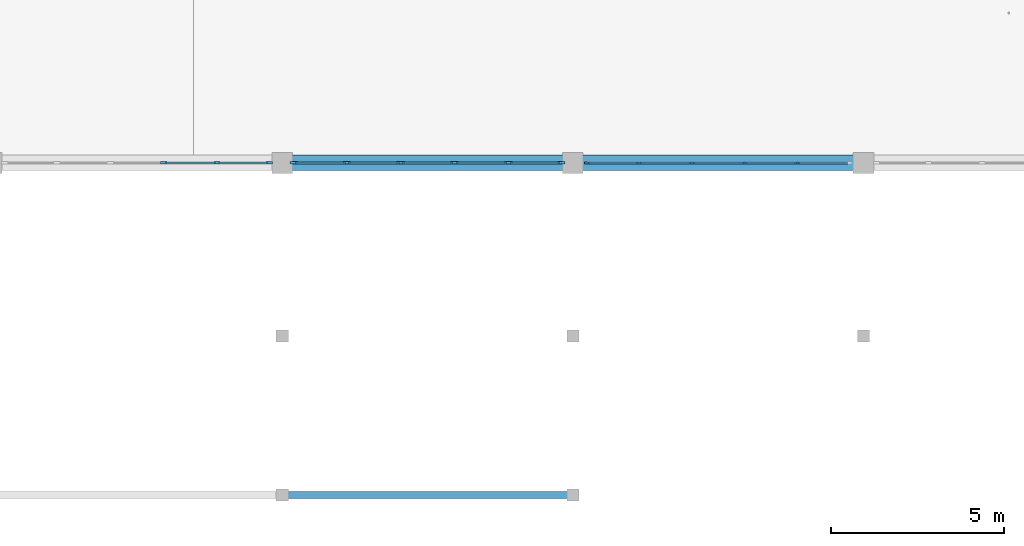
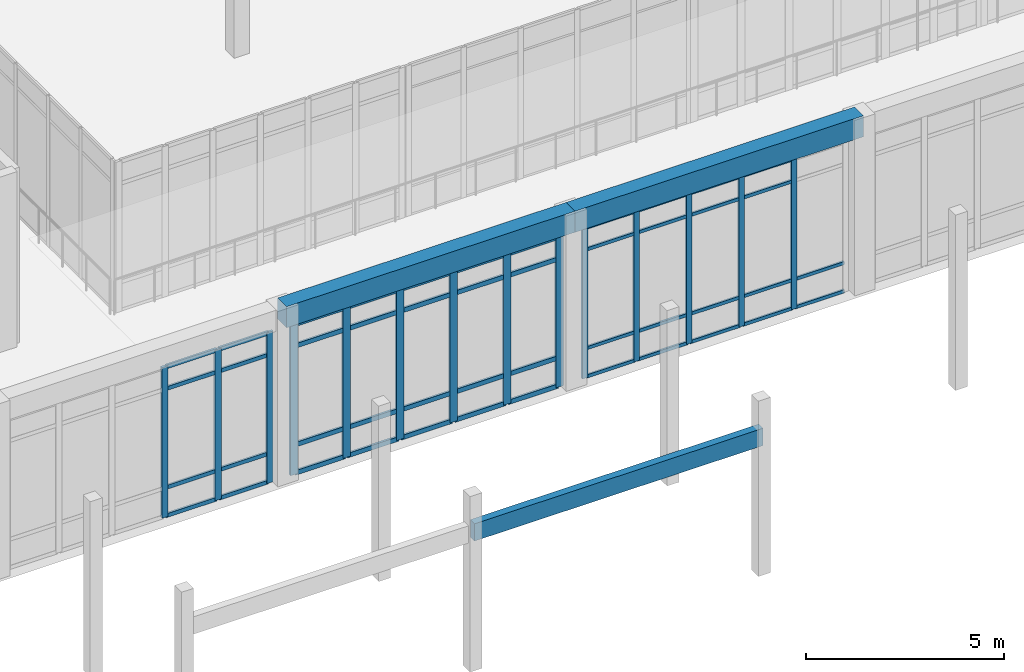
# One storey, part 15 of 157: 60 members, 3 beams, 3 elements without a shape of their own.
"""IFC4 building model written with IfcOpenShell, lengths in metres."""

from ifc_helpers import new_model, si_unit, direction, frame, origin, origin_2d, place, context, subcontext, project, spatial, rectangle, extrude, material, material_profile, profile_set, type_object, element, aggregate, save


model = new_model("IFC4")

# Units and contexts
model_context = context("Model", 3, precision=1e-05, world=origin(), true_north=direction((0.0, 1.0)))
body_context = subcontext(model_context, "Body", "Model", "MODEL_VIEW")
ifc_project = project(units=[si_unit("LENGTHUNIT", "METRE"), si_unit("AREAUNIT", "SQUARE_METRE"), si_unit("VOLUMEUNIT", "CUBIC_METRE"), si_unit("PLANEANGLEUNIT", "RADIAN"), si_unit("MASSUNIT", "GRAM", prefix="KILO")], contexts=[model_context])

# Site, building, storey
site_placement = place(None, origin())
site = spatial("IfcSite", under=ifc_project, at=site_placement, CompositionType="ELEMENT")
building_placement = place(site_placement, origin())
building = spatial("IfcBuilding", under=site, at=building_placement, Name="Varncliffe General Hospital", CompositionType="ELEMENT")
storey_placement = place(building_placement, frame((0.0, 0.0, 5.39990234375)))
storey = spatial("IfcBuildingStorey", under=building, at=storey_placement, Name="L01", CompositionType="ELEMENT", Elevation=5.39990234375)

# Curtain wall, members
ifc_material_1 = material(Name="Triple low-E argon insulated vision glazing", Category="glass")
curtain_wall_type_1 = type_object("IfcCurtainWallType", Name="Unitised Glazed Curtain Wall CW70 (7724x4640)", PredefinedType="USERDEFINED", material=ifc_material_1)
curtain_wall_1_placement = place(storey_placement, origin())
curtain_wall_1 = element("IfcCurtainWall", 1, at=curtain_wall_1_placement, inside=storey, type_object=curtain_wall_type_1, Name="L01 Glazed Curtain Wall CW70-52", ObjectType="GLAZED CURTAIN WALL", PredefinedType="USERDEFINED")
ifc_material_2 = material(Name="Dark bronze thermally broken aluminium framing", Category="aluminium")
ifc_material_profile_1 = material_profile(ifc_material_2, rectangle(XDim=0.074951171875, YDim=0.179931640625, at=origin_2d()), Name="ALU 75x180")
ifc_profile_set_1 = profile_set([ifc_material_profile_1], Name="Dark bronze thermally broken aluminium framing")
member_type_1 = type_object("IfcMemberType", Name="Curtain Wall Mullion CM44 (ALU 75x180)", PredefinedType="MULLION", material=ifc_profile_set_1)
member_1_placement = place(storey_placement, frame((66.824462890625, 7.199951171875, 0.0), z_axis=(0.0, 0.0, 1.0), x_axis=(0.0, -1.0, 0.0)))
member_1 = element("IfcMember", 2, at=member_1_placement, type_object=member_type_1, Name="CW70 mullion 1", PredefinedType="MULLION", context=body_context, shape_type="SweptSolid", body=[
    extrude(rectangle(XDim=0.074951171875, YDim=0.179931640625, at=origin_2d()), origin(), (0.0, 0.0, 1.0), 4.64013671875),
])
member_2_placement = place(storey_placement, frame((65.317138671875, 7.199951171875, 0.0), z_axis=(0.0, 0.0, 1.0), x_axis=(0.0, -1.0, 0.0)))
member_2 = element("IfcMember", 3, at=member_2_placement, type_object=member_type_1, Name="CW70 mullion 2", PredefinedType="MULLION", context=body_context, shape_type="SweptSolid", body=[
    extrude(rectangle(XDim=0.074951171875, YDim=0.179931640625, at=origin_2d()), origin(), (0.0, 0.0, 1.0), 4.64013671875),
])
member_3_placement = place(storey_placement, frame((63.7724609375, 7.199951171875, 0.0), z_axis=(0.0, 0.0, 1.0), x_axis=(0.0, -1.0, 0.0)))
member_3 = element("IfcMember", 4, at=member_3_placement, type_object=member_type_1, Name="CW70 mullion 3", PredefinedType="MULLION", context=body_context, shape_type="SweptSolid", body=[
    extrude(rectangle(XDim=0.074951171875, YDim=0.179931640625, at=origin_2d()), origin(), (0.0, 0.0, 1.0), 4.64013671875),
])

curtain_wall_type_2 = type_object("IfcCurtainWallType", Name="Unitised Glazed Curtain Wall CW27 (7644x4640)", PredefinedType="USERDEFINED", material=ifc_material_1)
curtain_wall_2_placement = place(storey_placement, origin())
curtain_wall_2 = element("IfcCurtainWall", 5, at=curtain_wall_2_placement, inside=storey, type_object=curtain_wall_type_2, Name="L01 Glazed Curtain Wall CW27-50", ObjectType="GLAZED CURTAIN WALL", PredefinedType="USERDEFINED")
ifc_material_profile_2 = material_profile(ifc_material_2, rectangle(XDim=0.06494140625, YDim=0.159912109375, at=origin_2d()), Name="ALU 65x160")
ifc_profile_set_2 = profile_set([ifc_material_profile_2], Name="Dark bronze thermally broken aluminium framing")
member_type_2 = type_object("IfcMemberType", Name="Curtain Wall Mullion CM65 (ALU 65x160)", PredefinedType="MULLION", material=ifc_profile_set_2)
member_4_placement = place(storey_placement, frame((82.09326171875, 7.199951171875, 0.0), z_axis=(0.0, 0.0, 1.0), x_axis=(0.0, -1.0, 0.0)))
member_4 = element("IfcMember", 6, at=member_4_placement, type_object=member_type_2, Name="CW27 mullion 2", PredefinedType="MULLION", context=body_context, shape_type="SweptSolid", body=[
    extrude(rectangle(XDim=0.06494140625, YDim=0.159912109375, at=origin_2d()), origin(), (0.0, 0.0, 1.0), 4.64013671875),
])
member_5_placement = place(storey_placement, frame((80.564453125, 7.199951171875, 0.0), z_axis=(0.0, 0.0, 1.0), x_axis=(0.0, -1.0, 0.0)))
member_5 = element("IfcMember", 7, at=member_5_placement, type_object=member_type_2, Name="CW27 mullion 3", PredefinedType="MULLION", context=body_context, shape_type="SweptSolid", body=[
    extrude(rectangle(XDim=0.06494140625, YDim=0.159912109375, at=origin_2d()), origin(), (0.0, 0.0, 1.0), 4.64013671875),
])
member_6_placement = place(storey_placement, frame((79.03564453125, 7.199951171875, 0.0), z_axis=(0.0, 0.0, 1.0), x_axis=(0.0, -1.0, 0.0)))
member_6 = element("IfcMember", 8, at=member_6_placement, type_object=member_type_2, Name="CW27 mullion 4", PredefinedType="MULLION", context=body_context, shape_type="SweptSolid", body=[
    extrude(rectangle(XDim=0.06494140625, YDim=0.159912109375, at=origin_2d()), origin(), (0.0, 0.0, 1.0), 4.64013671875),
])
member_7_placement = place(storey_placement, frame((77.5068359375, 7.199951171875, 0.0), z_axis=(0.0, 0.0, 1.0), x_axis=(0.0, -1.0, 0.0)))
member_7 = element("IfcMember", 9, at=member_7_placement, type_object=member_type_2, Name="CW27 mullion 5", PredefinedType="MULLION", context=body_context, shape_type="SweptSolid", body=[
    extrude(rectangle(XDim=0.06494140625, YDim=0.159912109375, at=origin_2d()), origin(), (0.0, 0.0, 1.0), 4.64013671875),
])
member_8_placement = place(storey_placement, frame((76.010498046875, 7.199951171875, 0.0), z_axis=(0.0, 0.0, 1.0), x_axis=(0.0, -1.0, 0.0)))
member_8 = element("IfcMember", 10, at=member_8_placement, type_object=member_type_2, Name="CW27 mullion 6", PredefinedType="MULLION", context=body_context, shape_type="SweptSolid", body=[
    extrude(rectangle(XDim=0.06494140625, YDim=0.159912109375, at=origin_2d()), origin(), (0.0, 0.0, 1.0), 4.64013671875),
])

curtain_wall_type_3 = type_object("IfcCurtainWallType", Name="Unitised Glazed Curtain Wall CW85 (7804x4640)", PredefinedType="USERDEFINED", material=ifc_material_1)
curtain_wall_3_placement = place(storey_placement, origin())
curtain_wall_3 = element("IfcCurtainWall", 11, at=curtain_wall_3_placement, inside=storey, type_object=curtain_wall_type_3, Name="L01 Glazed Curtain Wall CW85-51", ObjectType="GLAZED CURTAIN WALL", PredefinedType="USERDEFINED")
ifc_material_profile_3 = material_profile(ifc_material_2, rectangle(XDim=0.074951171875, YDim=0.219970703125, at=origin_2d()), Name="ALU 75x220")
ifc_profile_set_3 = profile_set([ifc_material_profile_3], Name="Dark bronze thermally broken aluminium framing")
member_type_3 = type_object("IfcMemberType", Name="Curtain Wall Mullion CM74 (ALU 75x220)", PredefinedType="MULLION", material=ifc_profile_set_3)
member_9_placement = place(storey_placement, frame((75.264404296875, 7.199951171875, 0.0), z_axis=(0.0, 0.0, 1.0), x_axis=(0.0, -1.0, 0.0)))
member_9 = element("IfcMember", 12, at=member_9_placement, type_object=member_type_3, Name="CW85 mullion 1", PredefinedType="MULLION", context=body_context, shape_type="SweptSolid", body=[
    extrude(rectangle(XDim=0.074951171875, YDim=0.219970703125, at=origin_2d()), origin(), (0.0, 0.0, 1.0), 4.64013671875),
])
member_10_placement = place(storey_placement, frame((73.7412109375, 7.199951171875, 0.0), z_axis=(0.0, 0.0, 1.0), x_axis=(0.0, -1.0, 0.0)))
member_10 = element("IfcMember", 13, at=member_10_placement, type_object=member_type_3, Name="CW85 mullion 2", PredefinedType="MULLION", context=body_context, shape_type="SweptSolid", body=[
    extrude(rectangle(XDim=0.074951171875, YDim=0.219970703125, at=origin_2d()), origin(), (0.0, 0.0, 1.0), 4.64013671875),
])
member_11_placement = place(storey_placement, frame((72.180419921875, 7.199951171875, 0.0), z_axis=(0.0, 0.0, 1.0), x_axis=(0.0, -1.0, 0.0)))
member_11 = element("IfcMember", 14, at=member_11_placement, type_object=member_type_3, Name="CW85 mullion 3", PredefinedType="MULLION", context=body_context, shape_type="SweptSolid", body=[
    extrude(rectangle(XDim=0.074951171875, YDim=0.219970703125, at=origin_2d()), origin(), (0.0, 0.0, 1.0), 4.64013671875),
])
member_12_placement = place(storey_placement, frame((70.61962890625, 7.199951171875, 0.0), z_axis=(0.0, 0.0, 1.0), x_axis=(0.0, -1.0, 0.0)))
member_12 = element("IfcMember", 15, at=member_12_placement, type_object=member_type_3, Name="CW85 mullion 4", PredefinedType="MULLION", context=body_context, shape_type="SweptSolid", body=[
    extrude(rectangle(XDim=0.074951171875, YDim=0.219970703125, at=origin_2d()), origin(), (0.0, 0.0, 1.0), 4.64013671875),
])
member_13_placement = place(storey_placement, frame((69.058837890625, 7.199951171875, 0.0), z_axis=(0.0, 0.0, 1.0), x_axis=(0.0, -1.0, 0.0)))
member_13 = element("IfcMember", 16, at=member_13_placement, type_object=member_type_3, Name="CW85 mullion 5", PredefinedType="MULLION", context=body_context, shape_type="SweptSolid", body=[
    extrude(rectangle(XDim=0.074951171875, YDim=0.219970703125, at=origin_2d()), origin(), (0.0, 0.0, 1.0), 4.64013671875),
])
member_14_placement = place(storey_placement, frame((67.535400390625, 7.199951171875, 0.0), z_axis=(0.0, 0.0, 1.0), x_axis=(0.0, -1.0, 0.0)))
member_14 = element("IfcMember", 17, at=member_14_placement, type_object=member_type_3, Name="CW85 mullion 6", PredefinedType="MULLION", context=body_context, shape_type="SweptSolid", body=[
    extrude(rectangle(XDim=0.074951171875, YDim=0.219970703125, at=origin_2d()), origin(), (0.0, 0.0, 1.0), 4.64013671875),
])

# Member
ifc_material_profile_4 = material_profile(ifc_material_2, rectangle(XDim=0.06005859375, YDim=0.1201171875, at=origin_2d()), Name="ALU 60x120")
ifc_profile_set_4 = profile_set([ifc_material_profile_4], Name="Dark bronze thermally broken aluminium framing")
member_type_4 = type_object("IfcMemberType", Name="Curtain Wall Transom CT14 (ALU 60x120)", PredefinedType="USERDEFINED", material=ifc_profile_set_4)
member_15_placement = place(storey_placement, frame((66.787109375, 7.199951171875, 0.030029296875), z_axis=(-1.0, 0.0, 0.0), x_axis=(0.0, -1.0, 0.0)))
member_15 = element("IfcMember", 18, at=member_15_placement, type_object=member_type_4, Name="CW70 transom 1.1", ObjectType="TRANSOM", PredefinedType="USERDEFINED", context=body_context, shape_type="SweptSolid", body=[
    extrude(rectangle(XDim=0.06005859375, YDim=0.1201171875, at=origin_2d()), origin(), (0.0, 0.0, 1.0), 1.432373046875),
])

member_16_placement = place(storey_placement, frame((66.787109375, 7.199951171875, 0.900146484375), z_axis=(-1.0, 0.0, 0.0), x_axis=(0.0, -1.0, 0.0)))
member_16 = element("IfcMember", 19, at=member_16_placement, type_object=member_type_4, Name="CW70 transom 1.2", ObjectType="TRANSOM", PredefinedType="USERDEFINED", context=body_context, shape_type="SweptSolid", body=[
    extrude(rectangle(XDim=0.06005859375, YDim=0.1201171875, at=origin_2d()), origin(), (0.0, 0.0, 1.0), 1.432373046875),
])

member_17_placement = place(storey_placement, frame((66.787109375, 7.199951171875, 3.940185546875), z_axis=(-1.0, 0.0, 0.0), x_axis=(0.0, -1.0, 0.0)))
member_17 = element("IfcMember", 20, at=member_17_placement, type_object=member_type_4, Name="CW70 transom 1.3", ObjectType="TRANSOM", PredefinedType="USERDEFINED", context=body_context, shape_type="SweptSolid", body=[
    extrude(rectangle(XDim=0.06005859375, YDim=0.1201171875, at=origin_2d()), origin(), (0.0, 0.0, 1.0), 1.432373046875),
])

member_18_placement = place(storey_placement, frame((66.787109375, 7.199951171875, 4.610107421875), z_axis=(-1.0, 0.0, 0.0), x_axis=(0.0, -1.0, 0.0)))
member_18 = element("IfcMember", 21, at=member_18_placement, type_object=member_type_4, Name="CW70 transom 1.4", ObjectType="TRANSOM", PredefinedType="USERDEFINED", context=body_context, shape_type="SweptSolid", body=[
    extrude(rectangle(XDim=0.06005859375, YDim=0.1201171875, at=origin_2d()), origin(), (0.0, 0.0, 1.0), 1.432373046875),
])

member_19_placement = place(storey_placement, frame((65.27978515625, 7.199951171875, 0.030029296875), z_axis=(-1.0, 0.0, 0.0), x_axis=(0.0, -1.0, 0.0)))
member_19 = element("IfcMember", 22, at=member_19_placement, type_object=member_type_4, Name="CW70 transom 2.1", ObjectType="TRANSOM", PredefinedType="USERDEFINED", context=body_context, shape_type="SweptSolid", body=[
    extrude(rectangle(XDim=0.06005859375, YDim=0.1201171875, at=origin_2d()), origin(), (0.0, 0.0, 1.0), 1.469970703125),
])

member_20_placement = place(storey_placement, frame((65.27978515625, 7.199951171875, 0.900146484375), z_axis=(-1.0, 0.0, 0.0), x_axis=(0.0, -1.0, 0.0)))
member_20 = element("IfcMember", 23, at=member_20_placement, type_object=member_type_4, Name="CW70 transom 2.2", ObjectType="TRANSOM", PredefinedType="USERDEFINED", context=body_context, shape_type="SweptSolid", body=[
    extrude(rectangle(XDim=0.06005859375, YDim=0.1201171875, at=origin_2d()), origin(), (0.0, 0.0, 1.0), 1.469970703125),
])

member_21_placement = place(storey_placement, frame((65.27978515625, 7.199951171875, 3.940185546875), z_axis=(-1.0, 0.0, 0.0), x_axis=(0.0, -1.0, 0.0)))
member_21 = element("IfcMember", 24, at=member_21_placement, type_object=member_type_4, Name="CW70 transom 2.3", ObjectType="TRANSOM", PredefinedType="USERDEFINED", context=body_context, shape_type="SweptSolid", body=[
    extrude(rectangle(XDim=0.06005859375, YDim=0.1201171875, at=origin_2d()), origin(), (0.0, 0.0, 1.0), 1.469970703125),
])

member_22_placement = place(storey_placement, frame((65.27978515625, 7.199951171875, 4.610107421875), z_axis=(-1.0, 0.0, 0.0), x_axis=(0.0, -1.0, 0.0)))
member_22 = element("IfcMember", 25, at=member_22_placement, type_object=member_type_4, Name="CW70 transom 2.4", ObjectType="TRANSOM", PredefinedType="USERDEFINED", context=body_context, shape_type="SweptSolid", body=[
    extrude(rectangle(XDim=0.06005859375, YDim=0.1201171875, at=origin_2d()), origin(), (0.0, 0.0, 1.0), 1.469970703125),
])

aggregate(curtain_wall_1, [member_1, member_2, member_3, member_15, member_16, member_17, member_18, member_19, member_20, member_21, member_22])

ifc_material_profile_5 = material_profile(ifc_material_2, rectangle(XDim=0.06005859375, YDim=0.10009765625, at=origin_2d()), Name="ALU 60x100")
ifc_profile_set_5 = profile_set([ifc_material_profile_5], Name="Dark bronze thermally broken aluminium framing")
member_type_5 = type_object("IfcMemberType", Name="Curtain Wall Transom CT18 (ALU 60x100)", PredefinedType="USERDEFINED", material=ifc_profile_set_5)
member_23_placement = place(storey_placement, frame((83.556884765625, 7.199951171875, 0.030029296875), z_axis=(-1.0, 0.0, 0.0), x_axis=(0.0, -1.0, 0.0)))
member_23 = element("IfcMember", 26, at=member_23_placement, type_object=member_type_5, Name="CW27 transom 1.1", ObjectType="TRANSOM", PredefinedType="USERDEFINED", context=body_context, shape_type="SweptSolid", body=[
    extrude(rectangle(XDim=0.06005859375, YDim=0.10009765625, at=origin_2d()), origin(), (0.0, 0.0, 1.0), 1.43115234375),
])

member_24_placement = place(storey_placement, frame((83.556884765625, 7.199951171875, 0.900146484375), z_axis=(-1.0, 0.0, 0.0), x_axis=(0.0, -1.0, 0.0)))
member_24 = element("IfcMember", 27, at=member_24_placement, type_object=member_type_5, Name="CW27 transom 1.2", ObjectType="TRANSOM", PredefinedType="USERDEFINED", context=body_context, shape_type="SweptSolid", body=[
    extrude(rectangle(XDim=0.06005859375, YDim=0.10009765625, at=origin_2d()), origin(), (0.0, 0.0, 1.0), 1.43115234375),
])

member_25_placement = place(storey_placement, frame((82.060791015625, 7.199951171875, 0.030029296875), z_axis=(-1.0, 0.0, 0.0), x_axis=(0.0, -1.0, 0.0)))
member_25 = element("IfcMember", 28, at=member_25_placement, type_object=member_type_5, Name="CW27 transom 2.1", ObjectType="TRANSOM", PredefinedType="USERDEFINED", context=body_context, shape_type="SweptSolid", body=[
    extrude(rectangle(XDim=0.06005859375, YDim=0.10009765625, at=origin_2d()), origin(), (0.0, 0.0, 1.0), 1.4638671875),
])

member_26_placement = place(storey_placement, frame((82.060791015625, 7.199951171875, 0.900146484375), z_axis=(-1.0, 0.0, 0.0), x_axis=(0.0, -1.0, 0.0)))
member_26 = element("IfcMember", 29, at=member_26_placement, type_object=member_type_5, Name="CW27 transom 2.2", ObjectType="TRANSOM", PredefinedType="USERDEFINED", context=body_context, shape_type="SweptSolid", body=[
    extrude(rectangle(XDim=0.06005859375, YDim=0.10009765625, at=origin_2d()), origin(), (0.0, 0.0, 1.0), 1.4638671875),
])

member_27_placement = place(storey_placement, frame((82.060791015625, 7.199951171875, 3.940185546875), z_axis=(-1.0, 0.0, 0.0), x_axis=(0.0, -1.0, 0.0)))
member_27 = element("IfcMember", 30, at=member_27_placement, type_object=member_type_5, Name="CW27 transom 2.3", ObjectType="TRANSOM", PredefinedType="USERDEFINED", context=body_context, shape_type="SweptSolid", body=[
    extrude(rectangle(XDim=0.06005859375, YDim=0.10009765625, at=origin_2d()), origin(), (0.0, 0.0, 1.0), 1.4638671875),
])

member_28_placement = place(storey_placement, frame((82.060791015625, 7.199951171875, 4.610107421875), z_axis=(-1.0, 0.0, 0.0), x_axis=(0.0, -1.0, 0.0)))
member_28 = element("IfcMember", 31, at=member_28_placement, type_object=member_type_5, Name="CW27 transom 2.4", ObjectType="TRANSOM", PredefinedType="USERDEFINED", context=body_context, shape_type="SweptSolid", body=[
    extrude(rectangle(XDim=0.06005859375, YDim=0.10009765625, at=origin_2d()), origin(), (0.0, 0.0, 1.0), 1.4638671875),
])

member_29_placement = place(storey_placement, frame((80.531982421875, 7.199951171875, 0.030029296875), z_axis=(-1.0, 0.0, 0.0), x_axis=(0.0, -1.0, 0.0)))
member_29 = element("IfcMember", 32, at=member_29_placement, type_object=member_type_5, Name="CW27 transom 3.1", ObjectType="TRANSOM", PredefinedType="USERDEFINED", context=body_context, shape_type="SweptSolid", body=[
    extrude(rectangle(XDim=0.06005859375, YDim=0.10009765625, at=origin_2d()), origin(), (0.0, 0.0, 1.0), 1.4638671875),
])

member_30_placement = place(storey_placement, frame((80.531982421875, 7.199951171875, 0.900146484375), z_axis=(-1.0, 0.0, 0.0), x_axis=(0.0, -1.0, 0.0)))
member_30 = element("IfcMember", 33, at=member_30_placement, type_object=member_type_5, Name="CW27 transom 3.2", ObjectType="TRANSOM", PredefinedType="USERDEFINED", context=body_context, shape_type="SweptSolid", body=[
    extrude(rectangle(XDim=0.06005859375, YDim=0.10009765625, at=origin_2d()), origin(), (0.0, 0.0, 1.0), 1.4638671875),
])

member_31_placement = place(storey_placement, frame((80.531982421875, 7.199951171875, 3.940185546875), z_axis=(-1.0, 0.0, 0.0), x_axis=(0.0, -1.0, 0.0)))
member_31 = element("IfcMember", 34, at=member_31_placement, type_object=member_type_5, Name="CW27 transom 3.3", ObjectType="TRANSOM", PredefinedType="USERDEFINED", context=body_context, shape_type="SweptSolid", body=[
    extrude(rectangle(XDim=0.06005859375, YDim=0.10009765625, at=origin_2d()), origin(), (0.0, 0.0, 1.0), 1.4638671875),
])

member_32_placement = place(storey_placement, frame((80.531982421875, 7.199951171875, 4.610107421875), z_axis=(-1.0, 0.0, 0.0), x_axis=(0.0, -1.0, 0.0)))
member_32 = element("IfcMember", 35, at=member_32_placement, type_object=member_type_5, Name="CW27 transom 3.4", ObjectType="TRANSOM", PredefinedType="USERDEFINED", context=body_context, shape_type="SweptSolid", body=[
    extrude(rectangle(XDim=0.06005859375, YDim=0.10009765625, at=origin_2d()), origin(), (0.0, 0.0, 1.0), 1.4638671875),
])

member_33_placement = place(storey_placement, frame((79.003173828125, 7.199951171875, 0.030029296875), z_axis=(-1.0, 0.0, 0.0), x_axis=(0.0, -1.0, 0.0)))
member_33 = element("IfcMember", 36, at=member_33_placement, type_object=member_type_5, Name="CW27 transom 4.1", ObjectType="TRANSOM", PredefinedType="USERDEFINED", context=body_context, shape_type="SweptSolid", body=[
    extrude(rectangle(XDim=0.06005859375, YDim=0.10009765625, at=origin_2d()), origin(), (0.0, 0.0, 1.0), 1.4638671875),
])

member_34_placement = place(storey_placement, frame((79.003173828125, 7.199951171875, 0.900146484375), z_axis=(-1.0, 0.0, 0.0), x_axis=(0.0, -1.0, 0.0)))
member_34 = element("IfcMember", 37, at=member_34_placement, type_object=member_type_5, Name="CW27 transom 4.2", ObjectType="TRANSOM", PredefinedType="USERDEFINED", context=body_context, shape_type="SweptSolid", body=[
    extrude(rectangle(XDim=0.06005859375, YDim=0.10009765625, at=origin_2d()), origin(), (0.0, 0.0, 1.0), 1.4638671875),
])

member_35_placement = place(storey_placement, frame((79.003173828125, 7.199951171875, 3.940185546875), z_axis=(-1.0, 0.0, 0.0), x_axis=(0.0, -1.0, 0.0)))
member_35 = element("IfcMember", 38, at=member_35_placement, type_object=member_type_5, Name="CW27 transom 4.3", ObjectType="TRANSOM", PredefinedType="USERDEFINED", context=body_context, shape_type="SweptSolid", body=[
    extrude(rectangle(XDim=0.06005859375, YDim=0.10009765625, at=origin_2d()), origin(), (0.0, 0.0, 1.0), 1.4638671875),
])

member_36_placement = place(storey_placement, frame((79.003173828125, 7.199951171875, 4.610107421875), z_axis=(-1.0, 0.0, 0.0), x_axis=(0.0, -1.0, 0.0)))
member_36 = element("IfcMember", 39, at=member_36_placement, type_object=member_type_5, Name="CW27 transom 4.4", ObjectType="TRANSOM", PredefinedType="USERDEFINED", context=body_context, shape_type="SweptSolid", body=[
    extrude(rectangle(XDim=0.06005859375, YDim=0.10009765625, at=origin_2d()), origin(), (0.0, 0.0, 1.0), 1.4638671875),
])

member_37_placement = place(storey_placement, frame((77.474365234375, 7.199951171875, 0.030029296875), z_axis=(-1.0, 0.0, 0.0), x_axis=(0.0, -1.0, 0.0)))
member_37 = element("IfcMember", 40, at=member_37_placement, type_object=member_type_5, Name="CW27 transom 5.1", ObjectType="TRANSOM", PredefinedType="USERDEFINED", context=body_context, shape_type="SweptSolid", body=[
    extrude(rectangle(XDim=0.06005859375, YDim=0.10009765625, at=origin_2d()), origin(), (0.0, 0.0, 1.0), 1.431396484375),
])

member_38_placement = place(storey_placement, frame((77.474365234375, 7.199951171875, 0.900146484375), z_axis=(-1.0, 0.0, 0.0), x_axis=(0.0, -1.0, 0.0)))
member_38 = element("IfcMember", 41, at=member_38_placement, type_object=member_type_5, Name="CW27 transom 5.2", ObjectType="TRANSOM", PredefinedType="USERDEFINED", context=body_context, shape_type="SweptSolid", body=[
    extrude(rectangle(XDim=0.06005859375, YDim=0.10009765625, at=origin_2d()), origin(), (0.0, 0.0, 1.0), 1.431396484375),
])

member_39_placement = place(storey_placement, frame((77.474365234375, 7.199951171875, 3.940185546875), z_axis=(-1.0, 0.0, 0.0), x_axis=(0.0, -1.0, 0.0)))
member_39 = element("IfcMember", 42, at=member_39_placement, type_object=member_type_5, Name="CW27 transom 5.3", ObjectType="TRANSOM", PredefinedType="USERDEFINED", context=body_context, shape_type="SweptSolid", body=[
    extrude(rectangle(XDim=0.06005859375, YDim=0.10009765625, at=origin_2d()), origin(), (0.0, 0.0, 1.0), 1.431396484375),
])

member_40_placement = place(storey_placement, frame((77.474365234375, 7.199951171875, 4.610107421875), z_axis=(-1.0, 0.0, 0.0), x_axis=(0.0, -1.0, 0.0)))
member_40 = element("IfcMember", 43, at=member_40_placement, type_object=member_type_5, Name="CW27 transom 5.4", ObjectType="TRANSOM", PredefinedType="USERDEFINED", context=body_context, shape_type="SweptSolid", body=[
    extrude(rectangle(XDim=0.06005859375, YDim=0.10009765625, at=origin_2d()), origin(), (0.0, 0.0, 1.0), 1.431396484375),
])

aggregate(curtain_wall_2, [member_4, member_5, member_6, member_7, member_8, member_23, member_24, member_25, member_26, member_27, member_28, member_29, member_30, member_31, member_32, member_33, member_34, member_35, member_36, member_37, member_38, member_39, member_40])

ifc_material_profile_6 = material_profile(ifc_material_2, rectangle(XDim=0.06494140625, YDim=0.139892578125, at=origin_2d()), Name="ALU 65x140")
ifc_profile_set_6 = profile_set([ifc_material_profile_6], Name="Dark bronze thermally broken aluminium framing")
member_type_6 = type_object("IfcMemberType", Name="Curtain Wall Transom CT69 (ALU 65x140)", PredefinedType="USERDEFINED", material=ifc_profile_set_6)
member_41_placement = place(storey_placement, frame((75.22705078125, 7.199951171875, 0.03271484375), z_axis=(-1.0, 0.0, 0.0), x_axis=(0.0, -1.0, 0.0)))
member_41 = element("IfcMember", 44, at=member_41_placement, type_object=member_type_6, Name="CW85 transom 1.1", ObjectType="TRANSOM", PredefinedType="USERDEFINED", context=body_context, shape_type="SweptSolid", body=[
    extrude(rectangle(XDim=0.06494140625, YDim=0.139892578125, at=origin_2d()), origin(), (0.0, 0.0, 1.0), 1.4482421875),
])

member_42_placement = place(storey_placement, frame((75.22705078125, 7.199951171875, 0.900146484375), z_axis=(-1.0, 0.0, 0.0), x_axis=(0.0, -1.0, 0.0)))
member_42 = element("IfcMember", 45, at=member_42_placement, type_object=member_type_6, Name="CW85 transom 1.2", ObjectType="TRANSOM", PredefinedType="USERDEFINED", context=body_context, shape_type="SweptSolid", body=[
    extrude(rectangle(XDim=0.06494140625, YDim=0.139892578125, at=origin_2d()), origin(), (0.0, 0.0, 1.0), 1.4482421875),
])

member_43_placement = place(storey_placement, frame((75.22705078125, 7.199951171875, 3.940185546875), z_axis=(-1.0, 0.0, 0.0), x_axis=(0.0, -1.0, 0.0)))
member_43 = element("IfcMember", 46, at=member_43_placement, type_object=member_type_6, Name="CW85 transom 1.3", ObjectType="TRANSOM", PredefinedType="USERDEFINED", context=body_context, shape_type="SweptSolid", body=[
    extrude(rectangle(XDim=0.06494140625, YDim=0.139892578125, at=origin_2d()), origin(), (0.0, 0.0, 1.0), 1.4482421875),
])

member_44_placement = place(storey_placement, frame((75.22705078125, 7.199951171875, 4.607666015625), z_axis=(-1.0, 0.0, 0.0), x_axis=(0.0, -1.0, 0.0)))
member_44 = element("IfcMember", 47, at=member_44_placement, type_object=member_type_6, Name="CW85 transom 1.4", ObjectType="TRANSOM", PredefinedType="USERDEFINED", context=body_context, shape_type="SweptSolid", body=[
    extrude(rectangle(XDim=0.06494140625, YDim=0.139892578125, at=origin_2d()), origin(), (0.0, 0.0, 1.0), 1.4482421875),
])

member_45_placement = place(storey_placement, frame((73.70361328125, 7.199951171875, 0.03271484375), z_axis=(-1.0, 0.0, 0.0), x_axis=(0.0, -1.0, 0.0)))
member_45 = element("IfcMember", 48, at=member_45_placement, type_object=member_type_6, Name="CW85 transom 2.1", ObjectType="TRANSOM", PredefinedType="USERDEFINED", context=body_context, shape_type="SweptSolid", body=[
    extrude(rectangle(XDim=0.06494140625, YDim=0.139892578125, at=origin_2d()), origin(), (0.0, 0.0, 1.0), 1.485595703125),
])

member_46_placement = place(storey_placement, frame((73.70361328125, 7.199951171875, 0.900146484375), z_axis=(-1.0, 0.0, 0.0), x_axis=(0.0, -1.0, 0.0)))
member_46 = element("IfcMember", 49, at=member_46_placement, type_object=member_type_6, Name="CW85 transom 2.2", ObjectType="TRANSOM", PredefinedType="USERDEFINED", context=body_context, shape_type="SweptSolid", body=[
    extrude(rectangle(XDim=0.06494140625, YDim=0.139892578125, at=origin_2d()), origin(), (0.0, 0.0, 1.0), 1.485595703125),
])

member_47_placement = place(storey_placement, frame((73.70361328125, 7.199951171875, 3.940185546875), z_axis=(-1.0, 0.0, 0.0), x_axis=(0.0, -1.0, 0.0)))
member_47 = element("IfcMember", 50, at=member_47_placement, type_object=member_type_6, Name="CW85 transom 2.3", ObjectType="TRANSOM", PredefinedType="USERDEFINED", context=body_context, shape_type="SweptSolid", body=[
    extrude(rectangle(XDim=0.06494140625, YDim=0.139892578125, at=origin_2d()), origin(), (0.0, 0.0, 1.0), 1.485595703125),
])

member_48_placement = place(storey_placement, frame((73.70361328125, 7.199951171875, 4.607666015625), z_axis=(-1.0, 0.0, 0.0), x_axis=(0.0, -1.0, 0.0)))
member_48 = element("IfcMember", 51, at=member_48_placement, type_object=member_type_6, Name="CW85 transom 2.4", ObjectType="TRANSOM", PredefinedType="USERDEFINED", context=body_context, shape_type="SweptSolid", body=[
    extrude(rectangle(XDim=0.06494140625, YDim=0.139892578125, at=origin_2d()), origin(), (0.0, 0.0, 1.0), 1.485595703125),
])

member_49_placement = place(storey_placement, frame((72.142822265625, 7.199951171875, 0.03271484375), z_axis=(-1.0, 0.0, 0.0), x_axis=(0.0, -1.0, 0.0)))
member_49 = element("IfcMember", 52, at=member_49_placement, type_object=member_type_6, Name="CW85 transom 3.1", ObjectType="TRANSOM", PredefinedType="USERDEFINED", context=body_context, shape_type="SweptSolid", body=[
    extrude(rectangle(XDim=0.06494140625, YDim=0.139892578125, at=origin_2d()), origin(), (0.0, 0.0, 1.0), 1.48583984375),
])

member_50_placement = place(storey_placement, frame((72.142822265625, 7.199951171875, 0.900146484375), z_axis=(-1.0, 0.0, 0.0), x_axis=(0.0, -1.0, 0.0)))
member_50 = element("IfcMember", 53, at=member_50_placement, type_object=member_type_6, Name="CW85 transom 3.2", ObjectType="TRANSOM", PredefinedType="USERDEFINED", context=body_context, shape_type="SweptSolid", body=[
    extrude(rectangle(XDim=0.06494140625, YDim=0.139892578125, at=origin_2d()), origin(), (0.0, 0.0, 1.0), 1.48583984375),
])

member_51_placement = place(storey_placement, frame((72.142822265625, 7.199951171875, 3.940185546875), z_axis=(-1.0, 0.0, 0.0), x_axis=(0.0, -1.0, 0.0)))
member_51 = element("IfcMember", 54, at=member_51_placement, type_object=member_type_6, Name="CW85 transom 3.3", ObjectType="TRANSOM", PredefinedType="USERDEFINED", context=body_context, shape_type="SweptSolid", body=[
    extrude(rectangle(XDim=0.06494140625, YDim=0.139892578125, at=origin_2d()), origin(), (0.0, 0.0, 1.0), 1.48583984375),
])

member_52_placement = place(storey_placement, frame((72.142822265625, 7.199951171875, 4.607666015625), z_axis=(-1.0, 0.0, 0.0), x_axis=(0.0, -1.0, 0.0)))
member_52 = element("IfcMember", 55, at=member_52_placement, type_object=member_type_6, Name="CW85 transom 3.4", ObjectType="TRANSOM", PredefinedType="USERDEFINED", context=body_context, shape_type="SweptSolid", body=[
    extrude(rectangle(XDim=0.06494140625, YDim=0.139892578125, at=origin_2d()), origin(), (0.0, 0.0, 1.0), 1.48583984375),
])

member_53_placement = place(storey_placement, frame((70.58203125, 7.199951171875, 0.03271484375), z_axis=(-1.0, 0.0, 0.0), x_axis=(0.0, -1.0, 0.0)))
member_53 = element("IfcMember", 56, at=member_53_placement, type_object=member_type_6, Name="CW85 transom 4.1", ObjectType="TRANSOM", PredefinedType="USERDEFINED", context=body_context, shape_type="SweptSolid", body=[
    extrude(rectangle(XDim=0.06494140625, YDim=0.139892578125, at=origin_2d()), origin(), (0.0, 0.0, 1.0), 1.48583984375),
])

member_54_placement = place(storey_placement, frame((70.58203125, 7.199951171875, 0.900146484375), z_axis=(-1.0, 0.0, 0.0), x_axis=(0.0, -1.0, 0.0)))
member_54 = element("IfcMember", 57, at=member_54_placement, type_object=member_type_6, Name="CW85 transom 4.2", ObjectType="TRANSOM", PredefinedType="USERDEFINED", context=body_context, shape_type="SweptSolid", body=[
    extrude(rectangle(XDim=0.06494140625, YDim=0.139892578125, at=origin_2d()), origin(), (0.0, 0.0, 1.0), 1.48583984375),
])

member_55_placement = place(storey_placement, frame((70.58203125, 7.199951171875, 3.940185546875), z_axis=(-1.0, 0.0, 0.0), x_axis=(0.0, -1.0, 0.0)))
member_55 = element("IfcMember", 58, at=member_55_placement, type_object=member_type_6, Name="CW85 transom 4.3", ObjectType="TRANSOM", PredefinedType="USERDEFINED", context=body_context, shape_type="SweptSolid", body=[
    extrude(rectangle(XDim=0.06494140625, YDim=0.139892578125, at=origin_2d()), origin(), (0.0, 0.0, 1.0), 1.48583984375),
])

member_56_placement = place(storey_placement, frame((70.58203125, 7.199951171875, 4.607666015625), z_axis=(-1.0, 0.0, 0.0), x_axis=(0.0, -1.0, 0.0)))
member_56 = element("IfcMember", 59, at=member_56_placement, type_object=member_type_6, Name="CW85 transom 4.4", ObjectType="TRANSOM", PredefinedType="USERDEFINED", context=body_context, shape_type="SweptSolid", body=[
    extrude(rectangle(XDim=0.06494140625, YDim=0.139892578125, at=origin_2d()), origin(), (0.0, 0.0, 1.0), 1.48583984375),
])

member_57_placement = place(storey_placement, frame((69.021240234375, 7.199951171875, 0.03271484375), z_axis=(-1.0, 0.0, 0.0), x_axis=(0.0, -1.0, 0.0)))
member_57 = element("IfcMember", 60, at=member_57_placement, type_object=member_type_6, Name="CW85 transom 5.1", ObjectType="TRANSOM", PredefinedType="USERDEFINED", context=body_context, shape_type="SweptSolid", body=[
    extrude(rectangle(XDim=0.06494140625, YDim=0.139892578125, at=origin_2d()), origin(), (0.0, 0.0, 1.0), 1.4482421875),
])

member_58_placement = place(storey_placement, frame((69.021240234375, 7.199951171875, 0.900146484375), z_axis=(-1.0, 0.0, 0.0), x_axis=(0.0, -1.0, 0.0)))
member_58 = element("IfcMember", 61, at=member_58_placement, type_object=member_type_6, Name="CW85 transom 5.2", ObjectType="TRANSOM", PredefinedType="USERDEFINED", context=body_context, shape_type="SweptSolid", body=[
    extrude(rectangle(XDim=0.06494140625, YDim=0.139892578125, at=origin_2d()), origin(), (0.0, 0.0, 1.0), 1.4482421875),
])

member_59_placement = place(storey_placement, frame((69.021240234375, 7.199951171875, 3.940185546875), z_axis=(-1.0, 0.0, 0.0), x_axis=(0.0, -1.0, 0.0)))
member_59 = element("IfcMember", 62, at=member_59_placement, type_object=member_type_6, Name="CW85 transom 5.3", ObjectType="TRANSOM", PredefinedType="USERDEFINED", context=body_context, shape_type="SweptSolid", body=[
    extrude(rectangle(XDim=0.06494140625, YDim=0.139892578125, at=origin_2d()), origin(), (0.0, 0.0, 1.0), 1.4482421875),
])

member_60_placement = place(storey_placement, frame((69.021240234375, 7.199951171875, 4.607666015625), z_axis=(-1.0, 0.0, 0.0), x_axis=(0.0, -1.0, 0.0)))
member_60 = element("IfcMember", 63, at=member_60_placement, type_object=member_type_6, Name="CW85 transom 5.4", ObjectType="TRANSOM", PredefinedType="USERDEFINED", context=body_context, shape_type="SweptSolid", body=[
    extrude(rectangle(XDim=0.06494140625, YDim=0.139892578125, at=origin_2d()), origin(), (0.0, 0.0, 1.0), 1.4482421875),
])

aggregate(curtain_wall_3, [member_9, member_10, member_11, member_12, member_13, member_14, member_41, member_42, member_43, member_44, member_45, member_46, member_47, member_48, member_49, member_50, member_51, member_52, member_53, member_54, member_55, member_56, member_57, member_58, member_59, member_60])

# Beams
ifc_material_3 = material(Name="Glulam GL28h (CSA O86 24f-EX, 30 MPa)", Category="wood")
ifc_material_profile_7 = material_profile(ifc_material_3, rectangle(XDim=0.215087890625, YDim=0.531982421875, at=origin_2d()), Name="GL 215x532")
ifc_profile_set_7 = profile_set([ifc_material_profile_7], Name="Glulam GL28h (CSA O86 24f-EX, 30 MPa)")
beam_type_1 = type_object("IfcBeamType", Name="Joist J54 (Ext GL 215x532)", PredefinedType="JOIST", material=ifc_profile_set_7)
beam_1_placement = place(storey_placement, frame((67.199951171875, -2.39990234375, 4.2001953125), z_axis=(1.0, 0.0, 0.0), x_axis=(0.0, 1.0, 0.0)))
element("IfcBeam", 64, at=beam_1_placement, inside=storey, type_object=beam_type_1, Name="L01 Outer Portico Tie Joist 2", PredefinedType="JOIST", context=body_context, shape_type="SweptSolid", body=[
    extrude(rectangle(XDim=0.215087890625, YDim=0.531982421875, at=origin_2d()), origin(), (0.0, 0.0, 1.0), 8.400146484375),
])
ifc_material_4 = material(Name="Concrete C35/45 (CSA A23.1 35 MPa)", Category="concrete")
ifc_material_profile_8 = material_profile(ifc_material_4, rectangle(XDim=0.449951171875, YDim=0.64990234375, at=origin_2d()), Name="RC 450x650")
ifc_profile_set_8 = profile_set([ifc_material_profile_8], Name="Concrete C35/45 (CSA A23.1 35 MPa)")
beam_type_2 = type_object("IfcBeamType", Name="Spandrel SP38 (Ext RC 450x650B)", PredefinedType="SPANDREL", material=ifc_profile_set_8)
beam_2_placement = place(storey_placement, frame((67.199951171875, 7.199951171875, 5.0751953125), z_axis=(1.0, 0.0, 0.0), x_axis=(0.0, 1.0, 0.0)))
element("IfcBeam", 65, at=beam_2_placement, inside=storey, type_object=beam_type_2, Name="L01 Spandrel Beam SP38-11", PredefinedType="SPANDREL", context=body_context, shape_type="SweptSolid", body=[
    extrude(rectangle(XDim=0.449951171875, YDim=0.64990234375, at=origin_2d()), origin(), (0.0, 0.0, 1.0), 8.400146484375),
])
beam_3_placement = place(storey_placement, frame((75.60009765625, 7.199951171875, 5.0751953125), z_axis=(1.0, 0.0, 0.0), x_axis=(0.0, 1.0, 0.0)))
element("IfcBeam", 66, at=beam_3_placement, inside=storey, type_object=beam_type_2, Name="L01 Spandrel Beam SP38-12", PredefinedType="SPANDREL", context=body_context, shape_type="SweptSolid", body=[
    extrude(rectangle(XDim=0.449951171875, YDim=0.64990234375, at=origin_2d()), origin(), (0.0, 0.0, 1.0), 8.39990234375),
])

save(model, "model.ifc")
